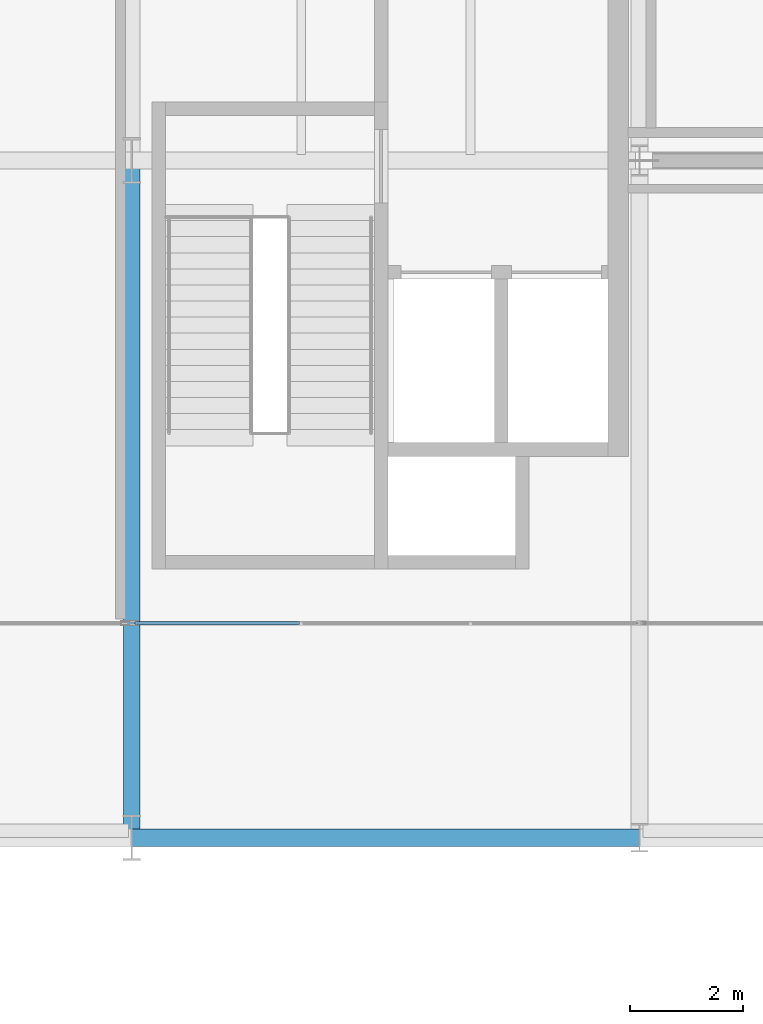
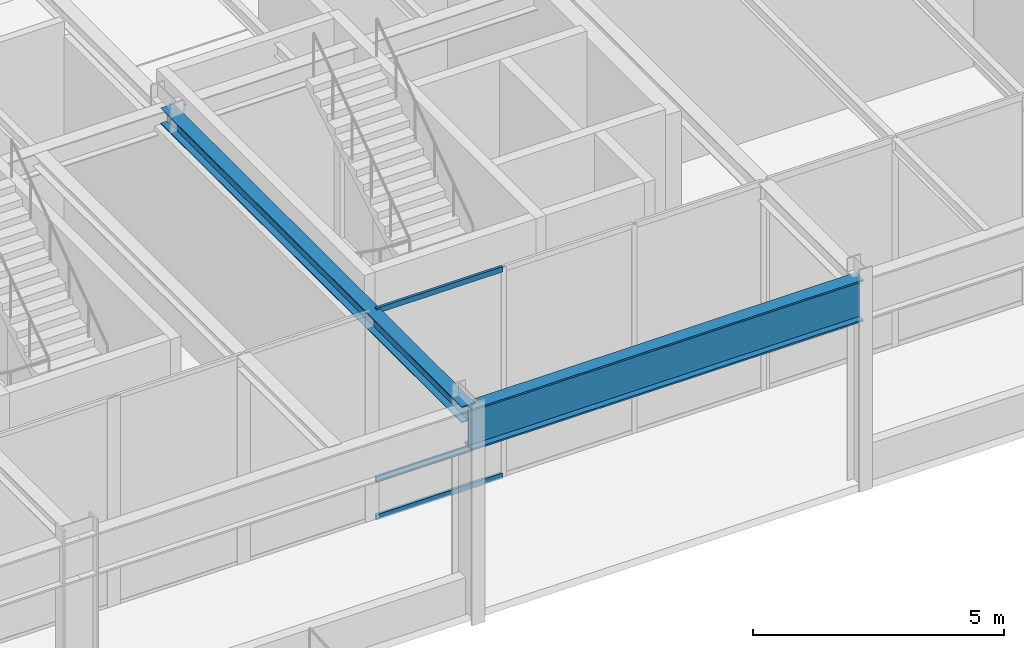
# One storey, part 22 of 143: 3 members, 2 beams, 1 element without a shape of its own.
"""IFC4 building model written with IfcOpenShell, lengths in metres."""

from ifc_helpers import new_model, si_unit, direction, frame, origin, origin_2d, place, context, subcontext, project, spatial, hollow_rectangle, i_section, extrude, material, layer, layer_set, material_profile, profile_set, type_object, element, aggregate, save


model = new_model("IFC4")

# Units and contexts
model_context = context("Model", 3, precision=1e-05, world=origin(), true_north=direction((0.0, 1.0)))
body_context = subcontext(model_context, "Body", "Model", "MODEL_VIEW")
ifc_project = project(units=[si_unit("LENGTHUNIT", "METRE"), si_unit("AREAUNIT", "SQUARE_METRE"), si_unit("VOLUMEUNIT", "CUBIC_METRE"), si_unit("PLANEANGLEUNIT", "RADIAN"), si_unit("MASSUNIT", "GRAM", prefix="KILO")], contexts=[model_context])

# Site, building, storey
site_placement = place(None, origin())
site = spatial("IfcSite", under=ifc_project, at=site_placement, CompositionType="ELEMENT")
building_placement = place(site_placement, origin())
building = spatial("IfcBuilding", under=site, at=building_placement, Name="Montelvaro Courts of Justice", CompositionType="ELEMENT")
storey_placement = place(building_placement, origin())
storey = spatial("IfcBuildingStorey", under=building, at=storey_placement, Name="L00", CompositionType="ELEMENT", Elevation=0.0)

# Beams
ifc_material_1 = material(Name="Steel S355", Category="steel")
ifc_material_profile_1 = material_profile(ifc_material_1, i_section(OverallWidth=0.300048828125, OverallDepth=0.389892578125, WebThickness=0.010986328125, FlangeThickness=0.01904296875, at=origin_2d()), Name="HEA 400")
ifc_profile_set_1 = profile_set([ifc_material_profile_1], Name="Steel S355")
beam_type_1 = type_object("IfcBeamType", Name="Beam_HEA400", PredefinedType="USERDEFINED", material=ifc_profile_set_1)
beam_1_placement = place(storey_placement, frame((54.0, 0.0, 4.885009765625), z_axis=(0.0, 1.0, 0.0), x_axis=(-1.0, 0.0, 0.0)))
element("IfcBeam", 1, at=beam_1_placement, inside=storey, type_object=beam_type_1, Name="Beam B-17 L00", ObjectType="GIRDER", PredefinedType="USERDEFINED", context=body_context, shape_type="SweptSolid", body=[
    extrude(i_section(OverallWidth=0.300048828125, OverallDepth=0.389892578125, WebThickness=0.010986328125, FlangeThickness=0.01904296875, at=origin_2d()), origin(), (0.0, 0.0, 1.0), 12.0),
])
ifc_material_profile_2 = material_profile(ifc_material_1, i_section(OverallWidth=0.302001953125, OverallDepth=1.008056640625, WebThickness=0.02099609375, FlangeThickness=0.0400390625, at=origin_2d()), Name="HEM 1000")
ifc_profile_set_2 = profile_set([ifc_material_profile_2], Name="Steel S355")
beam_type_2 = type_object("IfcBeamType", Name="Beam_HEM1000", PredefinedType="USERDEFINED", material=ifc_profile_set_2)
beam_2_placement = place(storey_placement, frame((63.0, 0.0, 4.555908203125), z_axis=(-1.0, 0.0, 0.0), x_axis=(0.0, -1.0, 0.0)))
element("IfcBeam", 2, at=beam_2_placement, inside=storey, type_object=beam_type_2, Name="Pratt Cantilever Truss Chord CTR-BAR1-S-L01-BS2", ObjectType="GIRDER", PredefinedType="USERDEFINED", context=body_context, shape_type="SweptSolid", body=[
    extrude(i_section(OverallWidth=0.302001953125, OverallDepth=1.008056640625, WebThickness=0.02099609375, FlangeThickness=0.0400390625, at=origin_2d()), origin(), (0.0, 0.0, 1.0), 9.0),
])

# Curtain wall, members
ifc_material_2 = material(Name="Anodised aluminium EN AW-6063", Category="aluminium")
ifc_layer = layer(ifc_material_2, 0.159912109375)
ifc_layer_set = layer_set([ifc_layer], Name="Anodised aluminium EN AW-6063")
curtain_wall_type = type_object("IfcCurtainWallType", Name="CurtainWall_11_900x508", PredefinedType="USERDEFINED", material=ifc_layer_set)
curtain_wall_placement = place(storey_placement, origin())
curtain_wall = element("IfcCurtainWall", 3, at=curtain_wall_placement, inside=storey, type_object=curtain_wall_type, Name="Curtain Wall CW-11 (L00)", ObjectType="CURTAIN WALL", PredefinedType="USERDEFINED")
ifc_material_profile_3 = material_profile(ifc_material_2, hollow_rectangle(XDim=0.06005859375, YDim=0.1298828125, WallThickness=0.00390625, at=origin_2d()), Name="ALU-T 60x130")
ifc_profile_set_3 = profile_set([ifc_material_profile_3], Name="Anodised aluminium EN AW-6063")
member_type = type_object("IfcMemberType", Name="CurtainWall_Transom_60x130", PredefinedType="USERDEFINED", material=ifc_profile_set_3)
member_1_placement = place(storey_placement, frame((54.06005859375, 3.800048828125, 0.030029296875), z_axis=(1.0, 0.0, 0.0), x_axis=(0.0, 1.0, 0.0)))
member_1 = element("IfcMember", 4, at=member_1_placement, type_object=member_type, Name="CW-11 transom 1.1", ObjectType="TRANSOM", PredefinedType="USERDEFINED", context=body_context, shape_type="SweptSolid", body=[
    extrude(hollow_rectangle(XDim=0.06005859375, YDim=0.1298828125, WallThickness=0.00390625, at=origin_2d()), origin(), (0.0, 0.0, 1.0), 2.909912109375),
])
member_2_placement = place(storey_placement, frame((54.06005859375, 3.800048828125, 0.949951171875), z_axis=(1.0, 0.0, 0.0), x_axis=(0.0, 1.0, 0.0)))
member_2 = element("IfcMember", 5, at=member_2_placement, type_object=member_type, Name="CW-11 transom 1.2", ObjectType="TRANSOM", PredefinedType="USERDEFINED", context=body_context, shape_type="SweptSolid", body=[
    extrude(hollow_rectangle(XDim=0.06005859375, YDim=0.1298828125, WallThickness=0.00390625, at=origin_2d()), origin(), (0.0, 0.0, 1.0), 2.909912109375),
])
member_3_placement = place(storey_placement, frame((54.06005859375, 3.800048828125, 5.050048828125), z_axis=(1.0, 0.0, 0.0), x_axis=(0.0, 1.0, 0.0)))
member_3 = element("IfcMember", 6, at=member_3_placement, type_object=member_type, Name="CW-11 transom 1.3", ObjectType="TRANSOM", PredefinedType="USERDEFINED", context=body_context, shape_type="SweptSolid", body=[
    extrude(hollow_rectangle(XDim=0.06005859375, YDim=0.1298828125, WallThickness=0.00390625, at=origin_2d()), origin(), (0.0, 0.0, 1.0), 2.909912109375),
])
aggregate(curtain_wall, [member_1, member_2, member_3])

save(model, "model.ifc")
